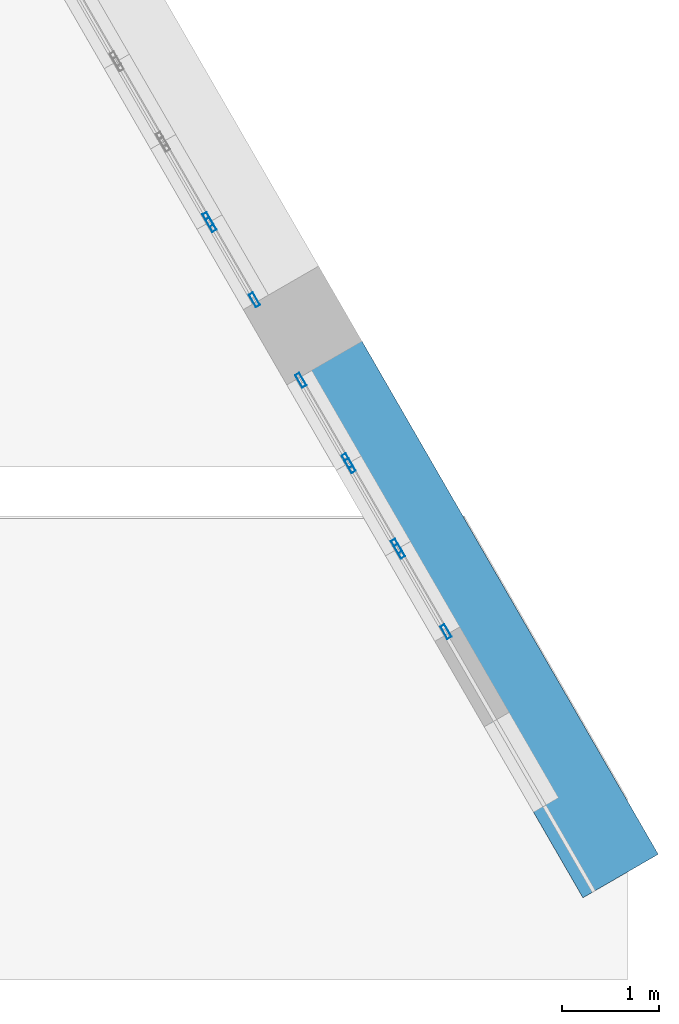
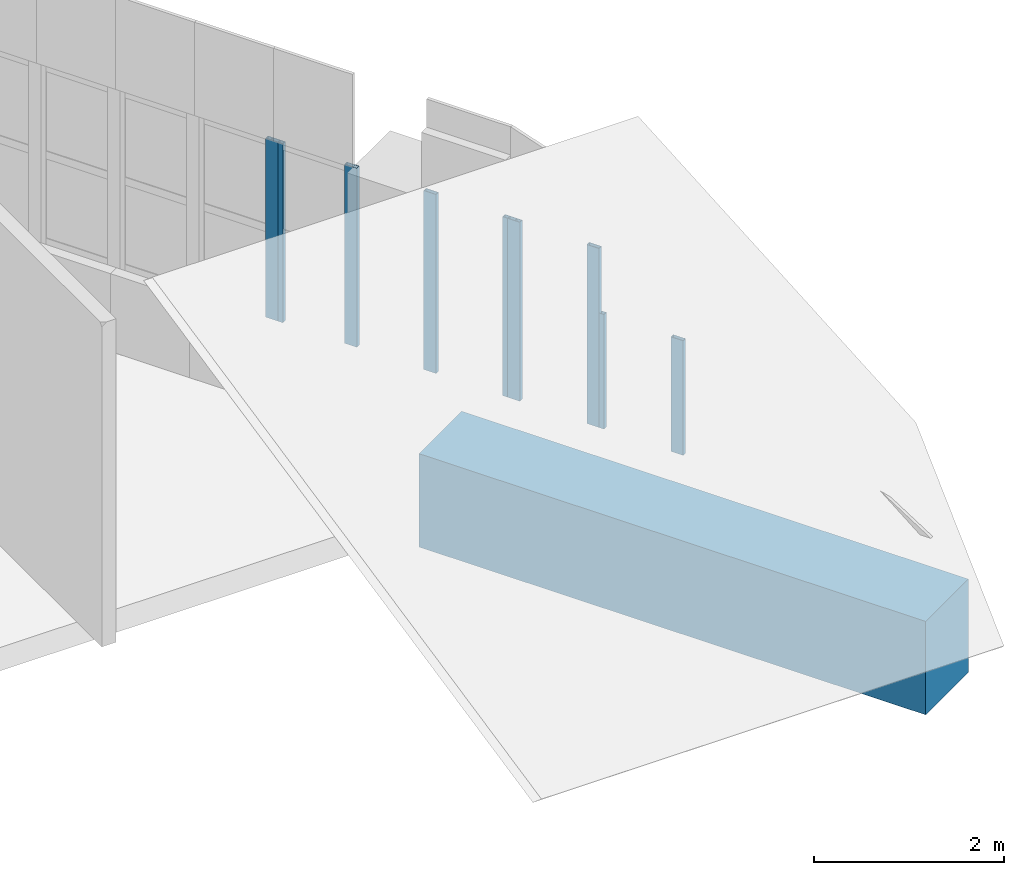
# One storey, part 10 of 16: 9 members, 1 beam, 5 elements without a shape of their own.
"""IFC4 building model written with IfcOpenShell, lengths in metres."""

from ifc_helpers import new_model, si_unit, direction, frame, origin, origin_2d, place, context, subcontext, project, spatial, rectangle, hollow_rectangle, extrude, material, material_profile, profile_set, type_object, element, aggregate, save


model = new_model("IFC4")

# Units and contexts
model_context = context("Model", 3, precision=1e-05, world=origin(), true_north=direction((0.0, 1.0)))
body_context = subcontext(model_context, "Body", "Model", "MODEL_VIEW")
ifc_project = project(units=[si_unit("LENGTHUNIT", "METRE"), si_unit("AREAUNIT", "SQUARE_METRE"), si_unit("VOLUMEUNIT", "CUBIC_METRE"), si_unit("PLANEANGLEUNIT", "RADIAN"), si_unit("MASSUNIT", "GRAM", prefix="KILO")], contexts=[model_context])

# Site, building, storey
site_placement = place(None, origin())
site = spatial("IfcSite", under=ifc_project, at=site_placement, CompositionType="ELEMENT")
building_placement = place(site_placement, origin())
building = spatial("IfcBuilding", under=site, at=building_placement, Name="Ostrander Bayou Hotel Tower", CompositionType="ELEMENT")
storey_placement = place(building_placement, frame((0.0, 0.0, 288.5)))
storey = spatial("IfcBuildingStorey", under=building, at=storey_placement, Name="L71", CompositionType="ELEMENT", Elevation=288.5)

# Curtain wall, members
ifc_material_1 = material(Name="Aluminium and clear glass", Category="aluminium")
curtain_wall_type = type_object("IfcCurtainWallType", Name="CW-CROWN glazed wall", PredefinedType="NOTDEFINED", material=ifc_material_1)
curtain_wall_1_placement = place(storey_placement, origin())
curtain_wall_1 = element("IfcCurtainWall", 1, at=curtain_wall_1_placement, inside=storey, type_object=curtain_wall_type, Name="CW-CROWN L71:NE-1-4", PredefinedType="NOTDEFINED")
ifc_material_2 = material(Name="Aluminium", Category="aluminium")
ifc_material_profile_1 = material_profile(ifc_material_2, hollow_rectangle(XDim=0.050048828125, YDim=0.14990234375, WallThickness=0.00390625, at=origin_2d()))
ifc_profile_set_1 = profile_set([ifc_material_profile_1], Name="Aluminium")
member_type = type_object("IfcMemberType", Name="CW-CR mullion 50 x 150 mm", PredefinedType="MULLION", material=ifc_profile_set_1)
member_1_placement = place(storey_placement, frame((16.73828125, 1.795654296875, 1.0), z_axis=(0.0, 0.0, 1.0), x_axis=(-0.866060068715, -0.499939953771, 0.0)))
member_1 = element("IfcMember", 2, at=member_1_placement, type_object=member_type, Name="CW-CROWN mullion 1", PredefinedType="MULLION", context=body_context, shape_type="SweptSolid", body=[
    extrude(hollow_rectangle(XDim=0.050048828125, YDim=0.14990234375, WallThickness=0.00390625, at=origin_2d()), origin(), (0.0, 0.0, 1.0), 1.47216796875),
])
member_2_placement = place(storey_placement, frame((16.257568359375, 2.62841796875, 1.0), z_axis=(0.0, 0.0, 1.0), x_axis=(-0.866060068715, -0.499939953771, 0.0)))
member_2 = element("IfcMember", 3, at=member_2_placement, type_object=member_type, Name="CW-CROWN mullion 2", PredefinedType="MULLION", context=body_context, shape_type="SweptSolid", body=[
    extrude(hollow_rectangle(XDim=0.050048828125, YDim=0.14990234375, WallThickness=0.00390625, at=origin_2d()), origin(), (0.0, 0.0, 1.0), 1.47216796875),
])
aggregate(curtain_wall_1, [member_1, member_2])

curtain_wall_2_placement = place(storey_placement, origin())
curtain_wall_2 = element("IfcCurtainWall", 4, at=curtain_wall_2_placement, inside=storey, type_object=curtain_wall_type, Name="CW-CROWN L71:NE-1-5", PredefinedType="NOTDEFINED")
member_3_placement = place(storey_placement, frame((16.2275390625, 2.68017578125, 1.0), z_axis=(0.0, 0.0, 1.0), x_axis=(-0.866017682126, -0.500013374066, 0.0)))
member_3 = element("IfcMember", 5, at=member_3_placement, type_object=member_type, Name="CW-CROWN mullion 1", PredefinedType="MULLION", context=body_context, shape_type="SweptSolid", body=[
    extrude(hollow_rectangle(XDim=0.050048828125, YDim=0.14990234375, WallThickness=0.00390625, at=origin_2d()), origin(), (0.0, 0.0, 1.0), 2.300048828125),
])
member_4_placement = place(storey_placement, frame((15.74658203125, 3.512939453125, 1.0), z_axis=(0.0, 0.0, 1.0), x_axis=(-0.866017682126, -0.500013374066, 0.0)))
member_4 = element("IfcMember", 6, at=member_4_placement, type_object=member_type, Name="CW-CROWN mullion 2", PredefinedType="MULLION", context=body_context, shape_type="SweptSolid", body=[
    extrude(hollow_rectangle(XDim=0.050048828125, YDim=0.14990234375, WallThickness=0.00390625, at=origin_2d()), origin(), (0.0, 0.0, 1.0), 2.300048828125),
])
aggregate(curtain_wall_2, [member_3, member_4])

curtain_wall_3_placement = place(storey_placement, origin())
curtain_wall_3 = element("IfcCurtainWall", 7, at=curtain_wall_3_placement, inside=storey, type_object=curtain_wall_type, Name="CW-CROWN L71:NE-1-6", PredefinedType="NOTDEFINED")
member_5_placement = place(storey_placement, frame((15.716796875, 3.56494140625, 1.0), z_axis=(0.0, 0.0, 1.0), x_axis=(-0.866017682126, -0.500013374066, 0.0)))
member_5 = element("IfcMember", 8, at=member_5_placement, type_object=member_type, Name="CW-CROWN mullion 1", PredefinedType="MULLION", context=body_context, shape_type="SweptSolid", body=[
    extrude(hollow_rectangle(XDim=0.050048828125, YDim=0.14990234375, WallThickness=0.00390625, at=origin_2d()), origin(), (0.0, 0.0, 1.0), 2.300048828125),
])
member_6_placement = place(storey_placement, frame((15.23583984375, 4.397705078125, 1.0), z_axis=(0.0, 0.0, 1.0), x_axis=(-0.866017682126, -0.500013374066, 0.0)))
member_6 = element("IfcMember", 9, at=member_6_placement, type_object=member_type, Name="CW-CROWN mullion 2", PredefinedType="MULLION", context=body_context, shape_type="SweptSolid", body=[
    extrude(hollow_rectangle(XDim=0.050048828125, YDim=0.14990234375, WallThickness=0.00390625, at=origin_2d()), origin(), (0.0, 0.0, 1.0), 2.300048828125),
])
aggregate(curtain_wall_3, [member_5, member_6])

curtain_wall_4_placement = place(storey_placement, origin())
curtain_wall_4 = element("IfcCurtainWall", 10, at=curtain_wall_4_placement, inside=storey, type_object=curtain_wall_type, Name="CW-CROWN L71:NE-2-1", PredefinedType="NOTDEFINED")
member_7_placement = place(storey_placement, frame((14.755859375, 5.22900390625, 1.0), z_axis=(0.0, 0.0, 1.0), x_axis=(-0.866022491007, -0.500005045044, 0.0)))
member_7 = element("IfcMember", 11, at=member_7_placement, type_object=member_type, Name="CW-CROWN mullion 1", PredefinedType="MULLION", context=body_context, shape_type="SweptSolid", body=[
    extrude(hollow_rectangle(XDim=0.050048828125, YDim=0.14990234375, WallThickness=0.00390625, at=origin_2d()), origin(), (0.0, 0.0, 1.0), 2.300048828125),
])
member_8_placement = place(storey_placement, frame((14.305908203125, 6.00830078125, 1.0), z_axis=(0.0, 0.0, 1.0), x_axis=(-0.866022491007, -0.500005045044, 0.0)))
member_8 = element("IfcMember", 12, at=member_8_placement, type_object=member_type, Name="CW-CROWN mullion 2", PredefinedType="MULLION", context=body_context, shape_type="SweptSolid", body=[
    extrude(hollow_rectangle(XDim=0.050048828125, YDim=0.14990234375, WallThickness=0.00390625, at=origin_2d()), origin(), (0.0, 0.0, 1.0), 2.300048828125),
])
aggregate(curtain_wall_4, [member_7, member_8])

# Curtain wall, member
curtain_wall_5_placement = place(storey_placement, origin())
curtain_wall_5 = element("IfcCurtainWall", 13, at=curtain_wall_5_placement, inside=storey, type_object=curtain_wall_type, Name="CW-CROWN L71:NE-2-2", PredefinedType="NOTDEFINED")
member_9_placement = place(storey_placement, frame((14.27587890625, 6.060302734375, 1.0), z_axis=(0.0, 0.0, 1.0), x_axis=(-0.866022491007, -0.500005045044, 0.0)))
member_9 = element("IfcMember", 14, at=member_9_placement, type_object=member_type, Name="CW-CROWN mullion 1", PredefinedType="MULLION", context=body_context, shape_type="SweptSolid", body=[
    extrude(hollow_rectangle(XDim=0.050048828125, YDim=0.14990234375, WallThickness=0.00390625, at=origin_2d()), origin(), (0.0, 0.0, 1.0), 2.300048828125),
])
aggregate(curtain_wall_5, [member_9])

# Beam
ifc_material_3 = material(Name="Concrete f'c 60 MPa", Category="concrete")
ifc_material_profile_2 = material_profile(ifc_material_3, rectangle(XDim=0.89990234375, YDim=1.199951171875, at=origin_2d()))
ifc_profile_set_2 = profile_set([ifc_material_profile_2], Name="Concrete f'c 60 MPa")
beam_type = type_object("IfcBeamType", Name="SP4 spandrel beam 900 x 1200 mm f'c 60 MPa", PredefinedType="SPANDREL", material=ifc_profile_set_2)
beam_placement = place(storey_placement, frame((18.54541015625, -0.734619140625, -0.60009765625), z_axis=(-0.499984362083, 0.866034432152, 0.0), x_axis=(-0.866034432152, -0.499984362083, 0.0)))
element("IfcBeam", 15, at=beam_placement, inside=storey, type_object=beam_type, Name="SP4 L71 NE-1", PredefinedType="SPANDREL", context=body_context, shape_type="SweptSolid", body=[
    extrude(rectangle(XDim=0.89990234375, YDim=1.199951171875, at=origin_2d()), origin(), (0.0, 0.0, 1.0), 6.159423828125),
])

save(model, "model.ifc")
